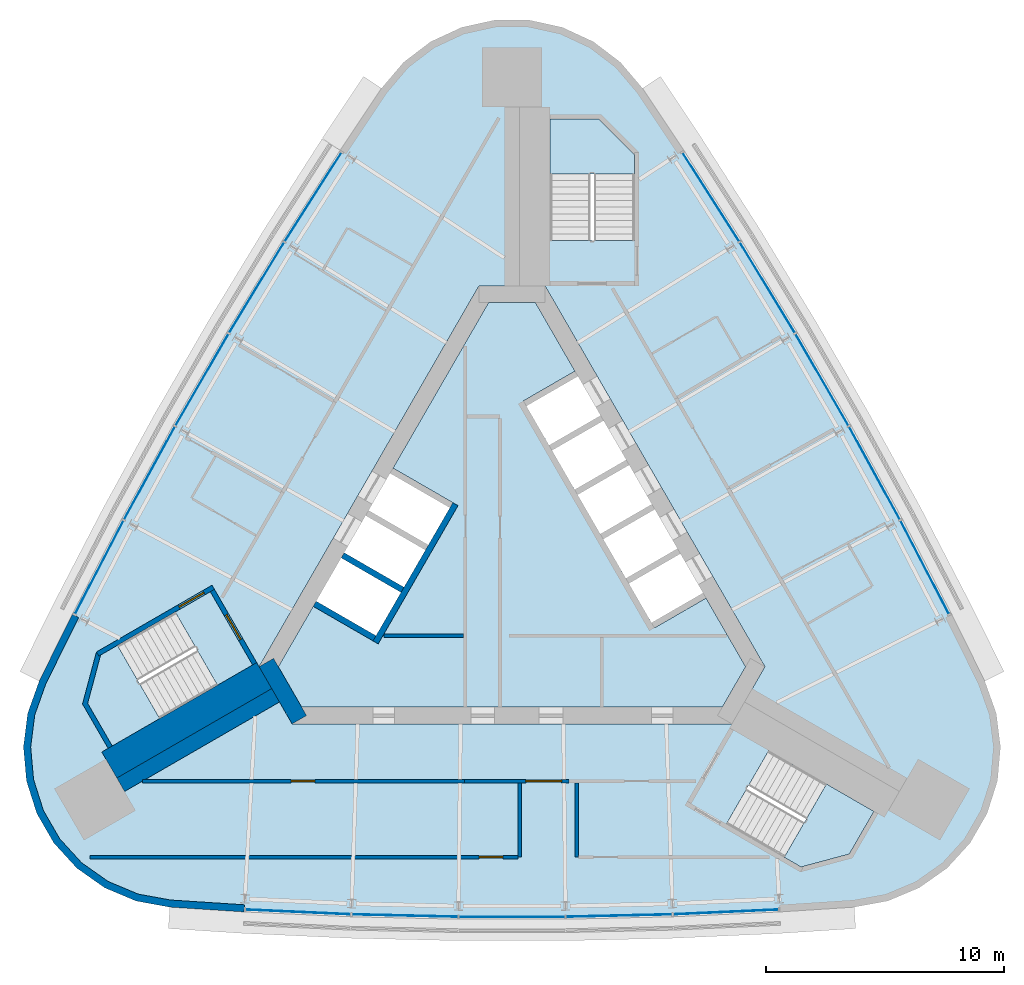
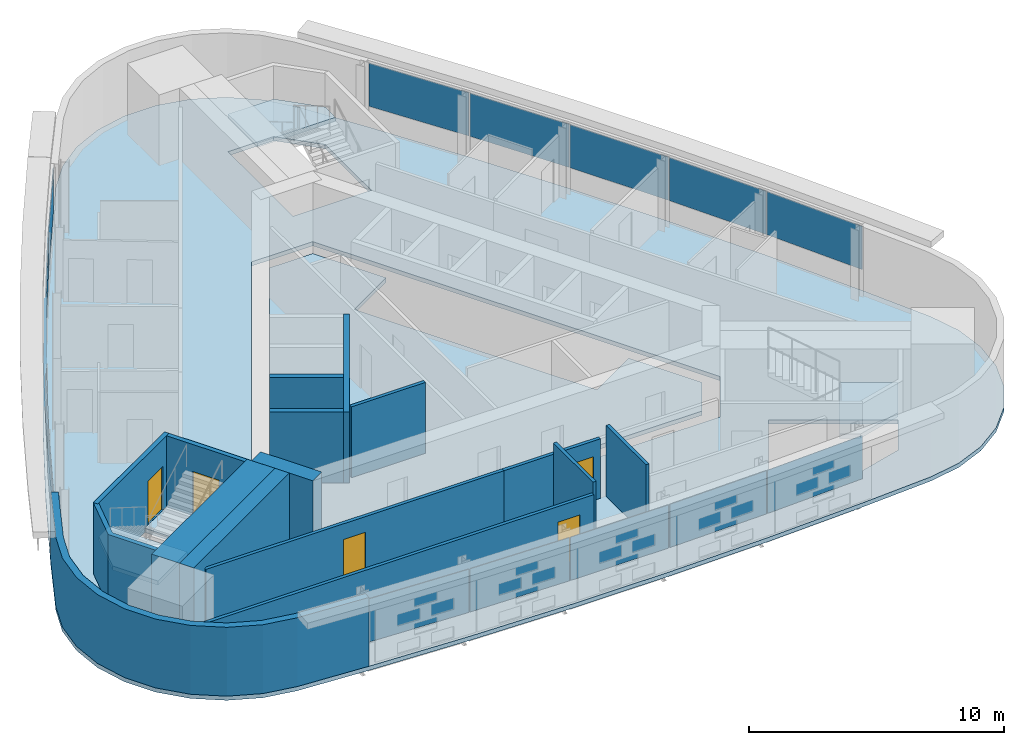
# One storey, part 5 of 9: 16 walls, 15 plates, 5 doors, 5 slabs, 5 openings, 6 elements without a shape of their own.
"""IFC4 building model written with IfcOpenShell, lengths in metres."""

from ifc_helpers import new_model, si_unit, direction, frame, frame_2d, origin, origin_2d, place, context, subcontext, project, spatial, polyline, rectangle, outline, extrude, material, layer, layer_set, type_object, element, fill, aggregate, save


model = new_model("IFC4")

# Units and contexts
model_context = context("Model", 3, precision=1e-05, world=origin(), true_north=direction((0.0, 1.0)))
body_context = subcontext(model_context, "Body", "Model", "MODEL_VIEW")
ifc_project = project(units=[si_unit("LENGTHUNIT", "METRE"), si_unit("AREAUNIT", "SQUARE_METRE"), si_unit("VOLUMEUNIT", "CUBIC_METRE"), si_unit("PLANEANGLEUNIT", "RADIAN"), si_unit("MASSUNIT", "GRAM", prefix="KILO")], contexts=[model_context])

# Site, building, storey
site_placement = place(None, origin())
site = spatial("IfcSite", under=ifc_project, at=site_placement, CompositionType="ELEMENT")
building_placement = place(site_placement, origin())
building = spatial("IfcBuilding", under=site, at=building_placement, Name="Noor Cloister Tower", CompositionType="ELEMENT")
storey_placement = place(building_placement, frame((0.0, 0.0, 236.39990234375)))
storey = spatial("IfcBuildingStorey", under=building, at=storey_placement, Name="L61", CompositionType="ELEMENT", Elevation=236.39990234375)

# Slabs
ifc_material_1 = material(Name="Concrete C40/50", Category="concrete")
ifc_layer_1 = layer(ifc_material_1, 0.199951171875)
ifc_layer_set_1 = layer_set([ifc_layer_1], Name="Core floor slab 200 C40/50")
slab_type_1 = type_object("IfcSlabType", Name="Core floor slab 200 C40/50", PredefinedType="FLOOR", material=ifc_layer_set_1)
slab_1_placement = place(storey_placement, frame((0.0, 0.0, -0.199951171875)))
element("IfcSlab", 1, at=slab_1_placement, inside=storey, type_object=slab_type_1, Name="Core floor L61", PredefinedType="FLOOR", context=body_context, shape_type="SweptSolid", body=[
    extrude(outline(polyline([(2.643798828125, 7.877197265625), (0.9814453125, 10.75634765625), (-0.9814453125, 10.75634765625), (-4.993896484375, 3.806884765625), (-2.482421875, 2.35693359375), (-5.832275390625, -3.4453125), (-8.34375, -1.995361328125), (-9.80615234375, -4.5283203125), (-8.82470703125, -6.228271484375), (8.82470703125, -6.228271484375), (9.80615234375, -4.5283203125), (8.143798828125, -1.64892578125), (5.978759765625, -2.89892578125), (0.478759765625, 6.627197265625), (2.643798828125, 7.877197265625)])), origin(), (0.0, 0.0, 1.0), 0.199951171875),
])
ifc_material_2 = material(Name="Concrete C40/50", Category="concrete")
ifc_layer_2 = layer(ifc_material_2, 0.199951171875)
ifc_layer_set_2 = layer_set([ifc_layer_2], Name="Floor slab 200 C40/50")
slab_type_2 = type_object("IfcSlabType", Name="Floor slab 200 C40/50", PredefinedType="FLOOR", material=ifc_layer_set_2)
slab_2_placement = place(storey_placement, frame((0.0, 0.0, -0.199951171875)))
element("IfcSlab", 2, at=slab_2_placement, inside=storey, type_object=slab_type_2, Name="Floor slab L61", PredefinedType="FLOOR", context=body_context, shape_type="SweptSolid", body=[
    extrude(outline(polyline([(5.47802734375, 19.7490234375), (4.55126953125, 20.839599609375), (3.412109375, 21.70556640625), (2.113037109375, 22.306396484375), (0.715576171875, 22.614013671875), (-0.715576171875, 22.614013671875), (-2.113037109375, 22.306396484375), (-3.412109375, 21.70556640625), (-4.55126953125, 20.839599609375), (-5.47802734375, 19.7490234375), (-7.212646484375, 17.147705078125), (-9.63671875, 13.3564453125), (-11.974365234375, 9.511474609375), (-14.224365234375, 5.6142578125), (-16.385498046875, 1.66748046875), (-18.45654296875, -2.32763671875), (-19.842041015625, -5.13037109375), (-20.3232421875, -6.478271484375), (-20.503662109375, -7.89794921875), (-20.37451171875, -9.3232421875), (-19.942138671875, -10.687255859375), (-19.2265625, -11.9267578125), (-18.26123046875, -12.983154296875), (-17.091552734375, -13.8076171875), (-15.77197265625, -14.361328125), (-14.3642578125, -14.61865234375), (-11.243896484375, -14.820068359375), (-6.748779296875, -15.02392578125), (-2.25, -15.125732421875), (2.25, -15.125732421875), (6.748779296875, -15.02392578125), (11.243896484375, -14.820068359375), (14.3642578125, -14.61865234375), (15.77197265625, -14.361328125), (17.091552734375, -13.8076171875), (18.26123046875, -12.983154296875), (19.2265625, -11.9267578125), (19.942138671875, -10.687255859375), (20.37451171875, -9.3232421875), (20.503662109375, -7.89794921875), (20.3232421875, -6.478271484375), (19.842041015625, -5.13037109375), (18.45654296875, -2.32763671875), (16.385498046875, 1.66748046875), (14.224365234375, 5.6142578125), (11.974365234375, 9.511474609375), (9.63671875, 13.3564453125), (7.212646484375, 17.147705078125), (5.47802734375, 19.7490234375)]), holes=[polyline([(8.999755859375, -11.126220703125), (12.131591796875, -12.934326171875), (14.1572265625, -12.3916015625), (15.19091796875, -10.601318359375), (10.774658203125, -8.0517578125), (8.999755859375, -11.126220703125)]), polyline([(-17.81005859375, -6.064697265625), (-16.776611328125, -7.85498046875), (-12.3603515625, -5.305419921875), (-14.13525390625, -2.23095703125), (-16.662841796875, -3.690185546875), (-17.267333984375, -4.039306640625), (-17.81005859375, -6.064697265625)]), polyline([(-10.6142578125, -4.5283203125), (-9.228759765625, -6.92822265625), (9.228759765625, -6.92822265625), (10.6142578125, -4.5283203125), (1.3857421875, 11.456298828125), (-1.3857421875, 11.456298828125), (-10.6142578125, -4.5283203125)]), polyline([(3.65283203125, 18.456298828125), (1.585693359375, 18.456298828125), (1.585693359375, 13.35693359375), (5.135498046875, 13.35693359375), (5.135498046875, 16.9736328125), (3.65283203125, 18.456298828125)])]), origin(), (0.0, 0.0, 1.0), 0.199951171875),
])

# Curtain wall, plates
ifc_material_3 = material(Name="Aluminium 6063-T6 anodised", Category="aluminium")
curtain_wall_type = type_object("IfcCurtainWallType", Name="Ribbon curtain wall, upper tower CW5", PredefinedType="NOTDEFINED", material=ifc_material_3)
curtain_wall_1_placement = place(storey_placement, origin())
curtain_wall_1 = element("IfcCurtainWall", 3, at=curtain_wall_1_placement, inside=storey, type_object=curtain_wall_type, Name="CW5 L61 NW run 1", PredefinedType="NOTDEFINED")
ifc_material_4 = material(Name="Clear laminated glass 2 x 8 mm", Category="glass")
ifc_layer_3 = layer(ifc_material_4, 0.028076171875)
ifc_layer_set_3 = layer_set([ifc_layer_3], Name="Glass panel CW5")
plate_type = type_object("IfcPlateType", Name="Glass panel CW5", PredefinedType="CURTAIN_PANEL", material=ifc_layer_set_3)
plate_1_placement = place(storey_placement, frame((-8.349609375, 15.183837890625, 1.08984375), z_axis=(0.0, 0.0, 1.0), x_axis=(-0.538705499547, -0.842494145237, 0.0)))
plate_1 = element("IfcPlate", 4, at=plate_1_placement, type_object=plate_type, Name="CW5 glass panel 1", PredefinedType="CURTAIN_PANEL", context=body_context, shape_type="SweptSolid", body=[
    extrude(rectangle(XDim=4.413818359375, YDim=0.028076171875, at=origin_2d()), origin(), (0.0, 0.0, 1.0), 2.070068359375),
])
plate_2_placement = place(storey_placement, frame((-10.719970703125, 11.382080078125, 1.08984375), z_axis=(0.0, 0.0, 1.0), x_axis=(-0.519486004363, -0.85447895894, 0.0)))
plate_2 = element("IfcPlate", 5, at=plate_2_placement, type_object=plate_type, Name="CW5 glass panel 2", PredefinedType="CURTAIN_PANEL", context=body_context, shape_type="SweptSolid", body=[
    extrude(rectangle(XDim=4.44775390625, YDim=0.028076171875, at=origin_2d()), origin(), (0.0, 0.0, 1.0), 2.070068359375),
])
plate_3_placement = place(storey_placement, frame((-13.0126953125, 7.512939453125, 1.08984375), z_axis=(0.0, 0.0, 1.0), x_axis=(-0.5, -0.866025403784, 0.0)))
plate_3 = element("IfcPlate", 6, at=plate_3_placement, type_object=plate_type, Name="CW5 glass panel 3", PredefinedType="CURTAIN_PANEL", context=body_context, shape_type="SweptSolid", body=[
    extrude(rectangle(XDim=4.44775390625, YDim=0.028076171875, at=origin_2d()), origin(), (0.0, 0.0, 1.0), 2.070068359375),
])
plate_4_placement = place(storey_placement, frame((-15.217041015625, 3.5927734375, 1.08984375), z_axis=(0.0, 0.0, 1.0), x_axis=(-0.480257483259, -0.877127556159, 0.0)))
plate_4 = element("IfcPlate", 7, at=plate_4_placement, type_object=plate_type, Name="CW5 glass panel 4", PredefinedType="CURTAIN_PANEL", context=body_context, shape_type="SweptSolid", body=[
    extrude(rectangle(XDim=4.44775390625, YDim=0.028076171875, at=origin_2d()), origin(), (0.0, 0.0, 1.0), 2.070068359375),
])
plate_5_placement = place(storey_placement, frame((-17.324462890625, -0.361083984375, 1.08984375), z_axis=(0.0, 0.0, 1.0), x_axis=(-0.460268582541, -0.887779720384, 0.0)))
plate_5 = element("IfcPlate", 8, at=plate_5_placement, type_object=plate_type, Name="CW5 glass panel 5", PredefinedType="CURTAIN_PANEL", context=body_context, shape_type="SweptSolid", body=[
    extrude(rectangle(XDim=4.413818359375, YDim=0.028076171875, at=origin_2d()), origin(), (0.0, 0.0, 1.0), 2.070068359375),
])
aggregate(curtain_wall_1, [plate_1, plate_2, plate_3, plate_4, plate_5])

curtain_wall_2_placement = place(storey_placement, origin())
curtain_wall_2 = element("IfcCurtainWall", 9, at=curtain_wall_2_placement, inside=storey, type_object=curtain_wall_type, Name="CW5 L61 S run 2", PredefinedType="NOTDEFINED")
plate_6_placement = place(storey_placement, frame((-8.974853515625, -14.82275390625, 1.08984375), z_axis=(0.0, 0.0, 1.0), x_axis=(0.998974082088, -0.045285575148, 0.0)))
plate_6 = element("IfcPlate", 10, at=plate_6_placement, type_object=plate_type, Name="CW5 glass panel 1", PredefinedType="CURTAIN_PANEL", context=body_context, shape_type="SweptSolid", body=[
    extrude(rectangle(XDim=4.413818359375, YDim=0.028076171875, at=origin_2d()), origin(), (0.0, 0.0, 1.0), 2.070068359375),
])
plate_7_placement = place(storey_placement, frame((-4.4970703125, -14.974853515625, 1.08984375), z_axis=(0.0, 0.0, 1.0), x_axis=(0.999743487623, -0.022648597219, 0.0)))
plate_7 = element("IfcPlate", 11, at=plate_7_placement, type_object=plate_type, Name="CW5 glass panel 2", PredefinedType="CURTAIN_PANEL", context=body_context, shape_type="SweptSolid", body=[
    extrude(rectangle(XDim=4.44775390625, YDim=0.028076171875, at=origin_2d()), origin(), (0.0, 0.0, 1.0), 2.070068359375),
])
plate_8_placement = place(storey_placement, frame((0.0, -15.02587890625, 1.08984375), z_axis=(0.0, 0.0, 1.0), x_axis=(1.0, 0.0, 0.0)))
plate_8 = element("IfcPlate", 12, at=plate_8_placement, type_object=plate_type, Name="CW5 glass panel 3", PredefinedType="CURTAIN_PANEL", context=body_context, shape_type="SweptSolid", body=[
    extrude(rectangle(XDim=4.44775390625, YDim=0.028076171875, at=origin_2d()), origin(), (0.0, 0.0, 1.0), 2.070068359375),
])
plate_9_placement = place(storey_placement, frame((4.4970703125, -14.974853515625, 1.08984375), z_axis=(0.0, 0.0, 1.0), x_axis=(0.999743487623, 0.022648597219, 0.0)))
plate_9 = element("IfcPlate", 13, at=plate_9_placement, type_object=plate_type, Name="CW5 glass panel 4", PredefinedType="CURTAIN_PANEL", context=body_context, shape_type="SweptSolid", body=[
    extrude(rectangle(XDim=4.44775390625, YDim=0.028076171875, at=origin_2d()), origin(), (0.0, 0.0, 1.0), 2.070068359375),
])
plate_10_placement = place(storey_placement, frame((8.974853515625, -14.82275390625, 1.08984375), z_axis=(0.0, 0.0, 1.0), x_axis=(0.998974082088, 0.045285575148, 0.0)))
plate_10 = element("IfcPlate", 14, at=plate_10_placement, type_object=plate_type, Name="CW5 glass panel 5", PredefinedType="CURTAIN_PANEL", context=body_context, shape_type="SweptSolid", body=[
    extrude(rectangle(XDim=4.413818359375, YDim=0.028076171875, at=origin_2d()), origin(), (0.0, 0.0, 1.0), 2.070068359375),
])
aggregate(curtain_wall_2, [plate_6, plate_7, plate_8, plate_9, plate_10])

curtain_wall_3_placement = place(storey_placement, origin())
curtain_wall_3 = element("IfcCurtainWall", 15, at=curtain_wall_3_placement, inside=storey, type_object=curtain_wall_type, Name="CW5 L61 NE run 3", PredefinedType="NOTDEFINED")
plate_11_placement = place(storey_placement, frame((17.324462890625, -0.361083984375, 1.08984375), z_axis=(0.0, 0.0, 1.0), x_axis=(-0.460268582541, 0.887779720384, 0.0)))
plate_11 = element("IfcPlate", 16, at=plate_11_placement, type_object=plate_type, Name="CW5 glass panel 1", PredefinedType="CURTAIN_PANEL", context=body_context, shape_type="SweptSolid", body=[
    extrude(rectangle(XDim=4.413818359375, YDim=0.028076171875, at=origin_2d()), origin(), (0.0, 0.0, 1.0), 2.070068359375),
])
plate_12_placement = place(storey_placement, frame((15.217041015625, 3.5927734375, 1.08984375), z_axis=(0.0, 0.0, 1.0), x_axis=(-0.480257483259, 0.877127556159, 0.0)))
plate_12 = element("IfcPlate", 17, at=plate_12_placement, type_object=plate_type, Name="CW5 glass panel 2", PredefinedType="CURTAIN_PANEL", context=body_context, shape_type="SweptSolid", body=[
    extrude(rectangle(XDim=4.44775390625, YDim=0.028076171875, at=origin_2d()), origin(), (0.0, 0.0, 1.0), 2.070068359375),
])
plate_13_placement = place(storey_placement, frame((13.0126953125, 7.512939453125, 1.08984375), z_axis=(0.0, 0.0, 1.0), x_axis=(-0.5, 0.866025403784, 0.0)))
plate_13 = element("IfcPlate", 18, at=plate_13_placement, type_object=plate_type, Name="CW5 glass panel 3", PredefinedType="CURTAIN_PANEL", context=body_context, shape_type="SweptSolid", body=[
    extrude(rectangle(XDim=4.44775390625, YDim=0.028076171875, at=origin_2d()), origin(), (0.0, 0.0, 1.0), 2.070068359375),
])
plate_14_placement = place(storey_placement, frame((10.719970703125, 11.382080078125, 1.08984375), z_axis=(0.0, 0.0, 1.0), x_axis=(-0.519486004363, 0.85447895894, 0.0)))
plate_14 = element("IfcPlate", 19, at=plate_14_placement, type_object=plate_type, Name="CW5 glass panel 4", PredefinedType="CURTAIN_PANEL", context=body_context, shape_type="SweptSolid", body=[
    extrude(rectangle(XDim=4.44775390625, YDim=0.028076171875, at=origin_2d()), origin(), (0.0, 0.0, 1.0), 2.070068359375),
])
plate_15_placement = place(storey_placement, frame((8.349609375, 15.183837890625, 1.08984375), z_axis=(0.0, 0.0, 1.0), x_axis=(-0.538705499547, 0.842494145237, 0.0)))
plate_15 = element("IfcPlate", 20, at=plate_15_placement, type_object=plate_type, Name="CW5 glass panel 5", PredefinedType="CURTAIN_PANEL", context=body_context, shape_type="SweptSolid", body=[
    extrude(rectangle(XDim=4.413818359375, YDim=0.028076171875, at=origin_2d()), origin(), (0.0, 0.0, 1.0), 2.070068359375),
])
aggregate(curtain_wall_3, [plate_11, plate_12, plate_13, plate_14, plate_15])

# Stair, slab
ifc_material_5 = material(Name="Concrete C40/50", Category="concrete")
stair_type = type_object("IfcStairType", Name="Exit stair 22 risers", PredefinedType="HALF_TURN_STAIR", material=ifc_material_5)
stair_1_placement = place(storey_placement, origin())
stair_1 = element("IfcStair", 21, at=stair_1_placement, inside=storey, type_object=stair_type, Name="Exit stair ST1 L61", PredefinedType="HALF_TURN_STAIR")
ifc_material_6 = material(Name="Concrete C40/50", Category="concrete")
ifc_layer_4 = layer(ifc_material_6, 0.199951171875)
ifc_layer_set_4 = layer_set([ifc_layer_4], Name="Stair landing 200 C40/50")
slab_type_3 = type_object("IfcSlabType", Name="Stair landing 200 C40/50", PredefinedType="LANDING", material=ifc_layer_set_4)
slab_3_placement = place(storey_placement, frame((0.0, 0.0, 1.60009765625)))
slab_3 = element("IfcSlab", 22, at=slab_3_placement, type_object=slab_type_3, Name="ST1 landing 1", PredefinedType="LANDING", context=body_context, shape_type="SweptSolid", body=[
    extrude(outline(polyline([(5.135498046875, 16.15576171875), (5.135498046875, 16.9736328125), (3.65283203125, 18.456298828125), (1.585693359375, 18.456298828125), (1.585693359375, 16.15576171875), (5.135498046875, 16.15576171875)])), origin(), (0.0, 0.0, 1.0), 0.199951171875),
])
aggregate(stair_1, [slab_3])

stair_2_placement = place(storey_placement, origin())
stair_2 = element("IfcStair", 23, at=stair_2_placement, inside=storey, type_object=stair_type, Name="Exit stair ST2 L61", PredefinedType="HALF_TURN_STAIR")
slab_4_placement = place(storey_placement, frame((0.0, 0.0, 1.60009765625)))
slab_4 = element("IfcSlab", 24, at=slab_4_placement, type_object=slab_type_3, Name="ST2 landing 1", PredefinedType="LANDING", context=body_context, shape_type="SweptSolid", body=[
    extrude(outline(polyline([(-16.55908203125, -3.63037109375), (-17.267333984375, -4.039306640625), (-17.81005859375, -6.064697265625), (-16.776611328125, -7.85498046875), (-14.7841796875, -6.70458984375), (-16.55908203125, -3.63037109375)])), origin(), (0.0, 0.0, 1.0), 0.199951171875),
])
aggregate(stair_2, [slab_4])

stair_3_placement = place(storey_placement, origin())
stair_3 = element("IfcStair", 25, at=stair_3_placement, inside=storey, type_object=stair_type, Name="Exit stair ST3 L61", PredefinedType="HALF_TURN_STAIR")
slab_5_placement = place(storey_placement, frame((0.0, 0.0, 1.60009765625)))
slab_5 = element("IfcSlab", 26, at=slab_5_placement, type_object=slab_type_3, Name="ST3 landing 1", PredefinedType="LANDING", context=body_context, shape_type="SweptSolid", body=[
    extrude(outline(polyline([(11.423583984375, -12.525390625), (12.131591796875, -12.934326171875), (14.1572265625, -12.3916015625), (15.19091796875, -10.601318359375), (13.198486328125, -9.451171875), (11.423583984375, -12.525390625)])), origin(), (0.0, 0.0, 1.0), 0.199951171875),
])
aggregate(stair_3, [slab_5])

# Walls
ifc_material_7 = material(Name="Concrete C60/75", Category="concrete")
ifc_layer_5 = layer(ifc_material_7, 0.64990234375)
ifc_layer_set_5 = layer_set([ifc_layer_5], Name="Buttress wall 650 C60/75")
wall_type_1 = type_object("IfcWallType", Name="Buttress wall 650 C60/75", PredefinedType="SHEAR", material=ifc_layer_set_5)
wall_1_placement = place(storey_placement, frame((-9.921630859375, -5.728271484375, -0.199951171875), z_axis=(0.0, 0.0, 1.0), x_axis=(-0.866026891245, -0.499997423634, 0.0)))
element("IfcWall", 27, at=wall_1_placement, inside=storey, type_object=wall_type_1, Name="Buttress wall SW L61", PredefinedType="SHEAR", context=body_context, shape_type="SweptSolid", body=[
    extrude(rectangle(XDim=7.50634765625, YDim=0.64990234375, at=frame_2d((3.753173828125, 0.0))), origin(), (0.0, 0.0, 1.0), 3.60009765625),
])
ifc_material_8 = material(Name="Concrete C30/37", Category="concrete")
ifc_layer_6 = layer(ifc_material_8, 0.14990234375)
ifc_layer_set_6 = layer_set([ifc_layer_6], Name="Core partition 150 C30/37")
wall_type_2 = type_object("IfcWallType", Name="Core partition 150 C30/37", PredefinedType="PARTITIONING", material=ifc_layer_set_6)
wall_2_placement = place(storey_placement, frame((-5.373291015625, -3.228271484375, 0.0), z_axis=(0.0, 0.0, 1.0), x_axis=(1.0, 0.0, 0.0)))
element("IfcWall", 28, at=wall_2_placement, inside=storey, type_object=wall_type_2, Name="Core room partition L61 1", PredefinedType="PARTITIONING", context=body_context, shape_type="SweptSolid", body=[
    extrude(rectangle(XDim=3.344482421875, YDim=0.14990234375, at=frame_2d((1.67236328125, 0.0))), origin(), (0.0, 0.0, 1.0), 3.400146484375),
])
ifc_material_9 = material(Name="Concrete C60/75", Category="concrete")
ifc_layer_7 = layer(ifc_material_9, 0.699951171875)
ifc_layer_set_7 = layer_set([ifc_layer_7], Name="Core wall 700 C60/75")
wall_type_3 = type_object("IfcWallType", Name="Core wall 700 C60/75", PredefinedType="SHEAR", material=ifc_layer_set_7)
wall_3_placement = place(storey_placement, frame((-10.311279296875, -4.353271484375, -0.199951171875), z_axis=(0.0, 0.0, 1.0), x_axis=(0.500042739161, -0.866000726912, 0.0)))
element("IfcWall", 29, at=wall_3_placement, inside=storey, type_object=wall_type_3, Name="Core wall L61 6", PredefinedType="SHEAR", context=body_context, shape_type="SweptSolid", body=[
    extrude(rectangle(XDim=2.771240234375, YDim=0.699951171875, at=frame_2d((1.3857421875, 0.0))), origin(), (0.0, 0.0, 1.0), 3.60009765625),
])

# Wall, opening, door
ifc_material_10 = material(Name="Gypsum board partition on steel studs, 150 mm", Category="steel")
ifc_layer_8 = layer(ifc_material_10, 0.14990234375)
ifc_layer_set_8 = layer_set([ifc_layer_8], Name="Flat wall 150")
wall_type_4 = type_object("IfcWallType", Name="Flat wall 150", PredefinedType="PARTITIONING", material=ifc_layer_set_8)
wall_4_placement = place(storey_placement, frame((-15.5068359375, -9.328125, 0.0), z_axis=(0.0, 0.0, 1.0), x_axis=(1.0, 0.0, 0.0)))
wall_4 = element("IfcWall", 30, at=wall_4_placement, inside=storey, type_object=wall_type_4, Name="Wall L61-W11", PredefinedType="PARTITIONING", context=body_context, shape_type="SweptSolid", body=[
    extrude(rectangle(XDim=13.5224609375, YDim=0.14990234375, at=frame_2d((6.76123046875, 0.0))), origin(), (0.0, 0.0, 1.0), 2.85205078125),
])
opening_1_placement = place(wall_4_placement, frame((6.236328125, 0.0, 0.0)))
opening_1 = element("IfcOpeningElement", 31, at=opening_1_placement, cuts=wall_4, Name="Opening L61-009", PredefinedType="OPENING", context=body_context, shape_type="SweptSolid", body=[
    extrude(rectangle(XDim=1.0, YDim=2.10009765625, at=frame_2d((0.5, 1.050048828125))), frame((0.0, 0.0849609375, 0.0), z_axis=(0.0, -1.0, 0.0), x_axis=(1.0, 0.0, 0.0)), (0.0, 0.0, 1.0), 0.169921875),
])
ifc_material_11 = material(Name="Timber door leaf with steel frame", Category="steel")
door_type_1 = type_object("IfcDoorType", Name="Interior door 1000 FD60", OperationType="NOTDEFINED", PredefinedType="DOOR", material=ifc_material_11)
door_1_placement = place(opening_1_placement, origin())
door_1 = element("IfcDoor", 32, at=door_1_placement, inside=storey, type_object=door_type_1, Name="Door L61-009", OperationType="SINGLE_SWING_LEFT", OverallHeight=2.10009765625, OverallWidth=1.0, PredefinedType="DOOR", context=body_context, shape_type="SweptSolid", body=[
    extrude(rectangle(XDim=1.0, YDim=2.10009765625, at=frame_2d((0.5, 1.050048828125))), frame((0.0, 0.02490234375, 0.0), z_axis=(0.0, -1.0, 0.0), x_axis=(1.0, 0.0, 0.0)), (0.0, 0.0, 1.0), 0.050048828125),
])
fill(opening_1, door_1)

wall_5_placement = place(storey_placement, frame((-1.984375, -9.328125, 0.0), z_axis=(0.0, 0.0, 1.0), x_axis=(1.0, 0.0, 0.0)))
wall_5 = element("IfcWall", 33, at=wall_5_placement, inside=storey, type_object=wall_type_4, Name="Wall L61-W13", PredefinedType="PARTITIONING", context=body_context, shape_type="SweptSolid", body=[
    extrude(rectangle(XDim=4.36865234375, YDim=0.14990234375, at=frame_2d((2.184326171875, 0.0))), origin(), (0.0, 0.0, 1.0), 2.85205078125),
])
opening_2_placement = place(wall_5_placement, frame((2.5625, 0.0, 0.0)))
opening_2 = element("IfcOpeningElement", 34, at=opening_2_placement, cuts=wall_5, Name="Opening L61-007", PredefinedType="OPENING", context=body_context, shape_type="SweptSolid", body=[
    extrude(rectangle(XDim=1.5, YDim=2.10009765625, at=frame_2d((0.75, 1.050048828125))), frame((0.0, 0.0849609375, 0.0), z_axis=(0.0, -1.0, 0.0), x_axis=(1.0, 0.0, 0.0)), (0.0, 0.0, 1.0), 0.169921875),
])
ifc_material_12 = material(Name="Timber door leaf with steel frame", Category="steel")
door_type_2 = type_object("IfcDoorType", Name="Double door 1500 FD60", OperationType="NOTDEFINED", PredefinedType="DOOR", material=ifc_material_12)
door_2_placement = place(opening_2_placement, origin())
door_2 = element("IfcDoor", 35, at=door_2_placement, inside=storey, type_object=door_type_2, Name="Door L61-007", OperationType="DOUBLE_DOOR_SINGLE_SWING", OverallHeight=2.10009765625, OverallWidth=1.5, PredefinedType="DOOR", context=body_context, shape_type="SweptSolid", body=[
    extrude(rectangle(XDim=1.5, YDim=2.10009765625, at=frame_2d((0.75, 1.050048828125))), frame((0.0, 0.02490234375, 0.0), z_axis=(0.0, -1.0, 0.0), x_axis=(1.0, 0.0, 0.0)), (0.0, 0.0, 1.0), 0.050048828125),
])
fill(opening_2, door_2)

# Walls
for number, where, z_axis, x_axis, name in (
    (36, (0.322021484375, -9.4033203125, 0.0), (0.0, 0.0, 1.0), (0.0, -1.0, 0.0), "Wall L61-W14"),
    (37, (2.721923828125, -9.4033203125, 0.0), (0.0, 0.0, 1.0), (0.0, -1.0, 0.0), "Wall L61-W15"),
):
    element("IfcWall", number, at=place(storey_placement, frame(where, z_axis=z_axis, x_axis=x_axis)), inside=storey, type_object=wall_type_4, Name=name, PredefinedType="PARTITIONING", context=body_context, shape_type="SweptSolid", body=[
        extrude(rectangle(XDim=3.11376953125, YDim=0.14990234375, at=frame_2d((1.556884765625, 0.0))), origin(), (0.0, 0.0, 1.0), 3.400146484375),
    ])

# Wall, opening, door
wall_6_placement = place(storey_placement, frame((-17.707763671875, -12.51708984375, 0.0), z_axis=(0.0, 0.0, 1.0), x_axis=(1.0, 0.0, 0.0)))
wall_6 = element("IfcWall", 38, at=wall_6_placement, inside=storey, type_object=wall_type_4, Name="Wall L61-W16", PredefinedType="PARTITIONING", context=body_context, shape_type="SweptSolid", body=[
    extrude(rectangle(XDim=17.954833984375, YDim=0.14990234375, at=frame_2d((8.9775390625, 0.0))), origin(), (0.0, 0.0, 1.0), 2.85205078125),
])
opening_3_placement = place(wall_6_placement, frame((16.32958984375, 0.0, 0.0)))
opening_3 = element("IfcOpeningElement", 39, at=opening_3_placement, cuts=wall_6, Name="Opening L61-008", PredefinedType="OPENING", context=body_context, shape_type="SweptSolid", body=[
    extrude(rectangle(XDim=1.0, YDim=2.10009765625, at=frame_2d((0.5, 1.050048828125))), frame((0.0, 0.0849609375, 0.0), z_axis=(0.0, -1.0, 0.0), x_axis=(1.0, 0.0, 0.0)), (0.0, 0.0, 1.0), 0.169921875),
])
door_3_placement = place(opening_3_placement, origin())
door_3 = element("IfcDoor", 40, at=door_3_placement, inside=storey, type_object=door_type_1, Name="Door L61-008", OperationType="SINGLE_SWING_RIGHT", OverallHeight=2.10009765625, OverallWidth=1.0, PredefinedType="DOOR", context=body_context, shape_type="SweptSolid", body=[
    extrude(rectangle(XDim=1.0, YDim=2.10009765625, at=frame_2d((0.5, 1.050048828125))), frame((0.0, 0.02490234375, 0.0), z_axis=(0.0, -1.0, 0.0), x_axis=(1.0, 0.0, 0.0)), (0.0, 0.0, 1.0), 0.050048828125),
])
fill(opening_3, door_3)

# Walls
ifc_material_13 = material(Name="Limestone", Category="masonry")
ifc_layer_9 = layer(ifc_material_13, 0.300048828125)
ifc_layer_set_9 = layer_set([ifc_layer_9], Name="Limestone cladding 300")
wall_type_5 = type_object("IfcWallType", Name="Limestone cladding 300", PredefinedType="NOTDEFINED", material=ifc_layer_set_9)
wall_7_placement = place(storey_placement, origin())
element("IfcWall", 41, at=wall_7_placement, inside=storey, type_object=wall_type_5, Name="Limestone pier cladding L61 1.1", PredefinedType="NOTDEFINED", context=body_context, shape_type="SweptSolid", body=[
    extrude(outline(polyline([(-18.45654296875, -2.32763671875), (-19.842041015625, -5.13037109375), (-20.3232421875, -6.478271484375), (-20.503662109375, -7.89794921875), (-20.37451171875, -9.3232421875), (-19.942138671875, -10.687255859375), (-19.2265625, -11.9267578125), (-18.26123046875, -12.983154296875), (-17.091552734375, -13.8076171875), (-15.77197265625, -14.361328125), (-14.3642578125, -14.61865234375), (-11.243896484375, -14.820068359375), (-11.224609375, -14.520751953125), (-14.327392578125, -14.3203125), (-15.68603515625, -14.072021484375), (-16.9453125, -13.543701171875), (-18.061767578125, -12.7568359375), (-18.98291015625, -11.748291015625), (-19.666015625, -10.565673828125), (-20.07861328125, -9.263671875), (-20.201904296875, -7.9033203125), (-20.02978515625, -6.54833984375), (-19.5654296875, -5.247802734375), (-18.1875, -2.46044921875), (-18.45654296875, -2.32763671875)])), origin(), (0.0, 0.0, 1.0), 3.300048828125),
])
ifc_material_14 = material(Name="Concrete C60/75", Category="concrete")
ifc_layer_10 = layer(ifc_material_14, 0.25)
ifc_layer_set_10 = layer_set([ifc_layer_10], Name="Shaft wall 250 C60/75")
wall_type_6 = type_object("IfcWallType", Name="Shaft wall 250 C60/75", PredefinedType="PARTITIONING", material=ifc_layer_set_10)
for number, where, z_axis, x_axis, name in (
    (42, (-7.106201171875, 0.14794921875, -0.199951171875), (0.0, 0.0, 1.0), (0.866032775405, -0.499987231761, 0.0), "Lift shaft wall L61 NW 5"),
    (43, (-8.28125, -1.88720703125, -0.199951171875), (0.0, 0.0, 1.0), (0.866032775405, -0.499987231761, 0.0), "Lift shaft wall L61 NW 6"),
):
    element("IfcWall", number, at=place(storey_placement, frame(where, z_axis=z_axis, x_axis=x_axis)), inside=storey, type_object=wall_type_6, Name=name, PredefinedType="PARTITIONING", context=body_context, shape_type="SweptSolid", body=[
        extrude(rectangle(XDim=2.89990234375, YDim=0.25, at=frame_2d((1.449951171875, 0.0))), origin(), (0.0, 0.0, 1.0), 3.60009765625),
    ])
wall_8_placement = place(storey_placement, frame((-2.3740234375, 2.29443359375, 0.0), z_axis=(0.0, 0.0, 1.0), x_axis=(-0.500003174267, -0.866023571113, 0.0)))
element("IfcWall", 44, at=wall_8_placement, inside=storey, type_object=wall_type_6, Name="Lift shaft back wall L61 NW", PredefinedType="PARTITIONING", context=body_context, shape_type="SweptSolid", body=[
    extrude(rectangle(XDim=6.7001953125, YDim=0.25, at=frame_2d((3.35009765625, 0.0))), origin(), (0.0, 0.0, 1.0), 3.400146484375),
])
ifc_material_15 = material(Name="Concrete C60/75", Category="concrete")
ifc_layer_11 = layer(ifc_material_15, 1.260986328125)
ifc_layer_set_11 = layer_set([ifc_layer_11], Name="Stair enclosure wall 1261 C60/75")
wall_type_7 = type_object("IfcWallType", Name="Stair enclosure wall 1261 C60/75", PredefinedType="SHEAR", material=ifc_layer_set_11)
wall_9_placement = place(storey_placement, frame((-10.399169921875, -4.90087890625, -0.199951171875), z_axis=(0.0, 0.0, 1.0), x_axis=(-0.866020939036, -0.500007733091, 0.0)))
element("IfcWall", 45, at=wall_9_placement, inside=storey, type_object=wall_type_7, Name="Stair enclosure wall ST2 L61 riser side", PredefinedType="SHEAR", context=body_context, shape_type="SweptSolid", body=[
    extrude(rectangle(XDim=7.5068359375, YDim=1.2607421875, at=frame_2d((3.75341796875, 0.0))), origin(), (0.0, 0.0, 1.0), 3.60009765625),
])

# Wall, opening, door
ifc_material_16 = material(Name="Concrete C60/75", Category="concrete")
ifc_layer_12 = layer(ifc_material_16, 0.199951171875)
ifc_layer_set_12 = layer_set([ifc_layer_12], Name="Stair enclosure wall 200 C60/75")
wall_type_8 = type_object("IfcWallType", Name="Stair enclosure wall 200 C60/75", PredefinedType="SHEAR", material=ifc_layer_set_12)
wall_10_placement = place(storey_placement, frame((-12.575927734375, -1.33056640625, -0.199951171875), z_axis=(0.0, 0.0, 1.0), x_axis=(0.499970499736, -0.8660424351, 0.0)))
wall_10 = element("IfcWall", 46, at=wall_10_placement, inside=storey, type_object=wall_type_8, Name="Stair enclosure wall ST2 L61 near end", PredefinedType="SHEAR", context=body_context, shape_type="SweptSolid", body=[
    extrude(rectangle(XDim=3.550048828125, YDim=0.199951171875, at=frame_2d((1.77490234375, 0.0))), origin(), (0.0, 0.0, 1.0), 3.60009765625),
])
opening_4_placement = place(wall_10_placement, frame((1.175048828125, 0.0, 0.199951171875)))
opening_4 = element("IfcOpeningElement", 47, at=opening_4_placement, cuts=wall_10, Name="Opening L61-ST2L", PredefinedType="OPENING", context=body_context, shape_type="SweptSolid", body=[
    extrude(rectangle(XDim=1.199951171875, YDim=2.10009765625, at=frame_2d((0.60009765625, 1.050048828125))), frame((0.0, 0.10986328125, 0.0), z_axis=(0.0, -1.0, 0.0), x_axis=(1.0, 0.0, 0.0)), (0.0, 0.0, 1.0), 0.219970703125),
])
ifc_material_17 = material(Name="Steel", Category="steel")
door_type_3 = type_object("IfcDoorType", Name="Stair door 1200 x 2100 FD120", OperationType="SINGLE_SWING_LEFT", PredefinedType="DOOR", material=ifc_material_17)
door_4_placement = place(opening_4_placement, origin())
door_4 = element("IfcDoor", 48, at=door_4_placement, inside=storey, type_object=door_type_3, Name="Stair door ST2 L61", OperationType="SINGLE_SWING_RIGHT", OverallHeight=2.10009765625, OverallWidth=1.199951171875, PredefinedType="DOOR", context=body_context, shape_type="SweptSolid", body=[
    extrude(rectangle(XDim=1.199951171875, YDim=2.10009765625, at=frame_2d((0.60009765625, 1.050048828125))), frame((0.0, 0.02490234375, 0.0), z_axis=(0.0, -1.0, 0.0), x_axis=(1.0, 0.0, 0.0)), (0.0, 0.0, 1.0), 0.050048828125),
])
fill(opening_4, door_4)

wall_11_placement = place(storey_placement, frame((-12.539306640625, -1.194091796875, -0.199951171875), z_axis=(0.0, 0.0, 1.0), x_axis=(-0.866045472092, -0.499965239061, 0.0)))
wall_11 = element("IfcWall", 49, at=wall_11_placement, inside=storey, type_object=wall_type_8, Name="Stair enclosure wall ST2 L61 outer side", PredefinedType="SHEAR", context=body_context, shape_type="SweptSolid", body=[
    extrude(rectangle(XDim=5.60009765625, YDim=0.199951171875, at=frame_2d((2.800048828125, 0.0))), origin(), (0.0, 0.0, 1.0), 3.60009765625),
])
opening_5_placement = place(wall_11_placement, frame((0.449951171875, 0.0, 0.199951171875)))
opening_5 = element("IfcOpeningElement", 50, at=opening_5_placement, cuts=wall_11, Name="Opening L61-ST2C", PredefinedType="OPENING", context=body_context, shape_type="SweptSolid", body=[
    extrude(rectangle(XDim=1.199951171875, YDim=2.10009765625, at=frame_2d((0.60009765625, 1.050048828125))), frame((0.0, 0.10986328125, 0.0), z_axis=(0.0, -1.0, 0.0), x_axis=(1.0, 0.0, 0.0)), (0.0, 0.0, 1.0), 0.219970703125),
])
door_5_placement = place(opening_5_placement, origin())
door_5 = element("IfcDoor", 51, at=door_5_placement, inside=storey, type_object=door_type_3, Name="Stair door ST2 L61", OperationType="SINGLE_SWING_LEFT", OverallHeight=2.10009765625, OverallWidth=1.199951171875, PredefinedType="DOOR", context=body_context, shape_type="SweptSolid", body=[
    extrude(rectangle(XDim=1.199951171875, YDim=2.10009765625, at=frame_2d((0.60009765625, 1.050048828125))), frame((0.0, 0.02490234375, 0.0), z_axis=(0.0, -1.0, 0.0), x_axis=(1.0, 0.0, 0.0)), (0.0, 0.0, 1.0), 0.050048828125),
])
fill(opening_5, door_5)

# Wall
ifc_material_18 = material(Name="Concrete C60/75", Category="concrete")
wall_type_9 = type_object("IfcWallType", Name="Stair far end wall C60/75", PredefinedType="SHEAR", material=ifc_material_18)
wall_12_placement = place(storey_placement, frame((0.0, 0.0, -0.199951171875)))
element("IfcWall", 52, at=wall_12_placement, inside=storey, type_object=wall_type_9, Name="Stair enclosure wall ST2 L61 far end", PredefinedType="SHEAR", context=body_context, shape_type="SweptSolid", body=[
    extrude(outline(polyline([(-17.439208984375, -3.907470703125), (-18.024658203125, -6.093017578125), (-16.94970703125, -7.955078125), (-16.776611328125, -7.85498046875), (-17.81005859375, -6.064697265625), (-17.267333984375, -4.039306640625), (-17.339111328125, -4.08056640625), (-17.339111328125, -4.08056640625), (-17.339111328125, -4.08056640625), (-17.339111328125, -4.08056640625), (-17.339111328125, -4.08056640625), (-17.339111328125, -4.08056640625), (-17.339111328125, -4.08056640625), (-17.339111328125, -4.08056640625), (-17.339111328125, -4.08056640625), (-17.339111328125, -4.08056640625), (-17.339111328125, -4.08056640625), (-17.339111328125, -4.08056640625), (-17.339111328125, -4.08056640625), (-17.339111328125, -4.08056640625), (-17.339111328125, -4.08056640625), (-17.339111328125, -4.08056640625), (-17.339111328125, -4.08056640625), (-17.439208984375, -3.907470703125)])), origin(), (0.0, 0.0, 1.0), 3.60009765625),
])

save(model, "model.ifc")
